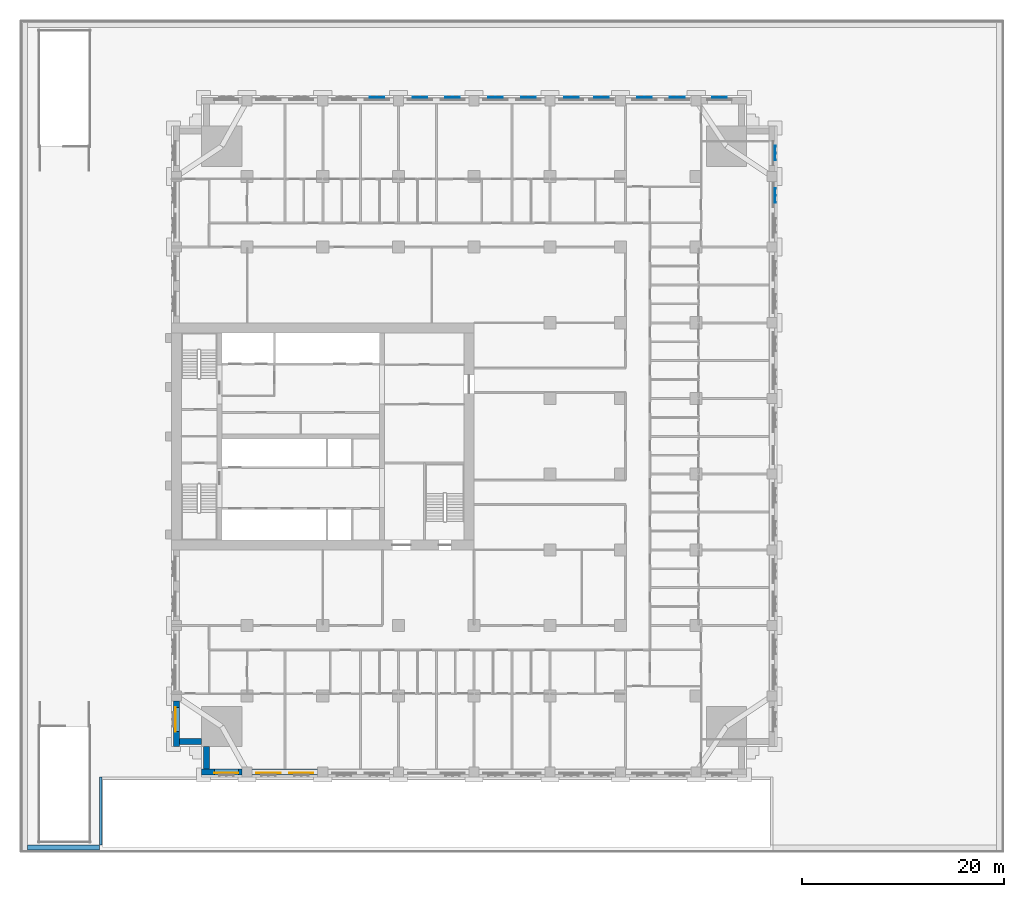
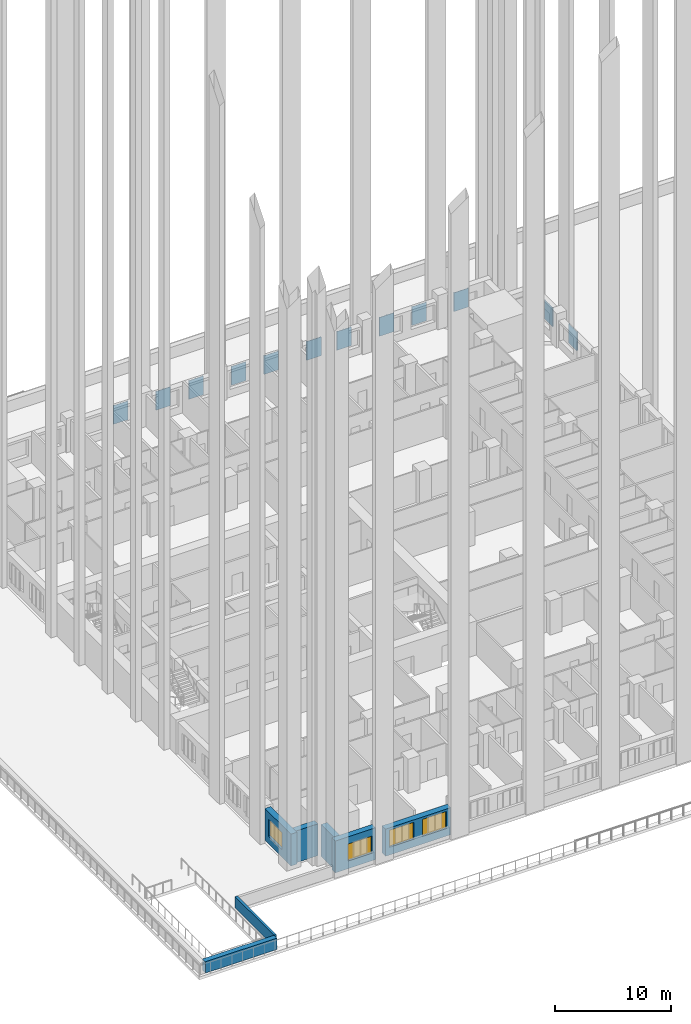
# One storey, part 3 of 27: 12 plates, 7 walls, 4 windows, 4 openings.
"""IFC4 building model written with IfcOpenShell, lengths in metres."""

from ifc_helpers import new_model, si_unit, direction, frame, frame_2d, origin, place, context, subcontext, project, spatial, polyline, rectangle, outline, extrude, material, layer, layer_set, type_object, element, fill, save


model = new_model("IFC4")

# Units and contexts
model_context = context("Model", 3, precision=1e-05, world=origin(), true_north=direction((0.0, 1.0)))
body_context = subcontext(model_context, "Body", "Model", "MODEL_VIEW")
ifc_project = project(units=[si_unit("LENGTHUNIT", "METRE"), si_unit("AREAUNIT", "SQUARE_METRE"), si_unit("VOLUMEUNIT", "CUBIC_METRE"), si_unit("PLANEANGLEUNIT", "RADIAN"), si_unit("MASSUNIT", "GRAM", prefix="KILO")], contexts=[model_context])

# Site, building, storey
site_placement = place(None, origin())
site = spatial("IfcSite", under=ifc_project, at=site_placement, CompositionType="ELEMENT")
building_placement = place(site_placement, origin())
building = spatial("IfcBuilding", under=site, at=building_placement, Name="Tamorin Gate", CompositionType="ELEMENT")
storey_placement = place(building_placement, frame((0.0, 0.0, 34.0)))
storey = spatial("IfcBuildingStorey", under=building, at=storey_placement, Name="L06", CompositionType="ELEMENT", Elevation=34.0)

# Plates
ifc_material_1 = material(Name="Perforated pale aluminium sheet", Category="aluminium")
ifc_layer_1 = layer(ifc_material_1, 0.0400390625)
ifc_layer_set_1 = layer_set([ifc_layer_1], Name="Pale metal solar screen 1440")
plate_type = type_object("IfcPlateType", Name="Pale metal solar screen 1440", PredefinedType="SHEET", material=ifc_layer_set_1)
plate_1_placement = place(storey_placement, frame((0.0, 0.0, 0.7099609375)))
element("IfcPlate", 1, at=plate_1_placement, inside=storey, type_object=plate_type, Name="Perforated solar screen", PredefinedType="SHEET", context=body_context, shape_type="SweptSolid", body=[
    extrude(outline(polyline([(89.840087890625, 94.405029296875), (89.800048828125, 94.405029296875), (89.800048828125, 94.465087890625), (89.800048828125, 95.094970703125), (89.800048828125, 95.155029296875), (89.800048828125, 95.784912109375), (89.800048828125, 95.844970703125), (89.840087890625, 95.844970703125), (89.89990234375, 95.844970703125), (89.89990234375, 95.784912109375), (89.840087890625, 95.784912109375), (89.840087890625, 95.155029296875), (89.89990234375, 95.155029296875), (89.89990234375, 95.094970703125), (89.840087890625, 95.094970703125), (89.840087890625, 94.465087890625), (89.89990234375, 94.465087890625), (89.89990234375, 94.405029296875), (89.840087890625, 94.405029296875)])), origin(), (0.0, 0.0, 1.0), 1.97998046875),
])
plate_2_placement = place(storey_placement, frame((0.0, 0.0, 0.7099609375)))
element("IfcPlate", 2, at=plate_2_placement, inside=storey, type_object=plate_type, Name="Perforated solar screen", PredefinedType="SHEET", context=body_context, shape_type="SweptSolid", body=[
    extrude(outline(polyline([(89.840087890625, 98.580078125), (89.800048828125, 98.580078125), (89.800048828125, 98.639892578125), (89.800048828125, 99.27001953125), (89.800048828125, 99.330078125), (89.800048828125, 99.9599609375), (89.800048828125, 100.02001953125), (89.840087890625, 100.02001953125), (89.89990234375, 100.02001953125), (89.89990234375, 99.9599609375), (89.840087890625, 99.9599609375), (89.840087890625, 99.330078125), (89.89990234375, 99.330078125), (89.89990234375, 99.27001953125), (89.840087890625, 99.27001953125), (89.840087890625, 98.639892578125), (89.89990234375, 98.639892578125), (89.89990234375, 98.580078125), (89.840087890625, 98.580078125)])), origin(), (0.0, 0.0, 1.0), 1.97998046875),
])
plate_3_placement = place(storey_placement, frame((0.0, 0.0, 0.7099609375)))
element("IfcPlate", 3, at=plate_3_placement, inside=storey, type_object=plate_type, Name="Perforated solar screen", PredefinedType="SHEET", context=body_context, shape_type="SweptSolid", body=[
    extrude(outline(polyline([(85.02001953125, 104.840087890625), (85.02001953125, 104.800048828125), (84.9599609375, 104.800048828125), (84.330078125, 104.800048828125), (84.27001953125, 104.800048828125), (83.639892578125, 104.800048828125), (83.580078125, 104.800048828125), (83.580078125, 104.840087890625), (83.580078125, 104.89990234375), (83.639892578125, 104.89990234375), (83.639892578125, 104.840087890625), (84.27001953125, 104.840087890625), (84.27001953125, 104.89990234375), (84.330078125, 104.89990234375), (84.330078125, 104.840087890625), (84.9599609375, 104.840087890625), (84.9599609375, 104.89990234375), (85.02001953125, 104.89990234375), (85.02001953125, 104.840087890625)])), origin(), (0.0, 0.0, 1.0), 1.97998046875),
])
plate_4_placement = place(storey_placement, frame((0.0, 0.0, 0.7099609375)))
element("IfcPlate", 4, at=plate_4_placement, inside=storey, type_object=plate_type, Name="Perforated solar screen", PredefinedType="SHEET", context=body_context, shape_type="SweptSolid", body=[
    extrude(outline(polyline([(77.594970703125, 104.840087890625), (77.594970703125, 104.800048828125), (77.534912109375, 104.800048828125), (76.905029296875, 104.800048828125), (76.844970703125, 104.800048828125), (76.215087890625, 104.800048828125), (76.155029296875, 104.800048828125), (76.155029296875, 104.840087890625), (76.155029296875, 104.89990234375), (76.215087890625, 104.89990234375), (76.215087890625, 104.840087890625), (76.844970703125, 104.840087890625), (76.844970703125, 104.89990234375), (76.905029296875, 104.89990234375), (76.905029296875, 104.840087890625), (77.534912109375, 104.840087890625), (77.534912109375, 104.89990234375), (77.594970703125, 104.89990234375), (77.594970703125, 104.840087890625)])), origin(), (0.0, 0.0, 1.0), 1.97998046875),
])
plate_5_placement = place(storey_placement, frame((0.0, 0.0, 0.7099609375)))
element("IfcPlate", 5, at=plate_5_placement, inside=storey, type_object=plate_type, Name="Perforated solar screen", PredefinedType="SHEET", context=body_context, shape_type="SweptSolid", body=[
    extrude(outline(polyline([(80.844970703125, 104.840087890625), (80.844970703125, 104.800048828125), (80.784912109375, 104.800048828125), (80.155029296875, 104.800048828125), (80.094970703125, 104.800048828125), (79.465087890625, 104.800048828125), (79.405029296875, 104.800048828125), (79.405029296875, 104.800048828125), (79.405029296875, 104.840087890625), (79.405029296875, 104.840087890625), (79.405029296875, 104.89990234375), (79.465087890625, 104.89990234375), (79.465087890625, 104.840087890625), (80.094970703125, 104.840087890625), (80.094970703125, 104.89990234375), (80.155029296875, 104.89990234375), (80.155029296875, 104.840087890625), (80.784912109375, 104.840087890625), (80.784912109375, 104.89990234375), (80.844970703125, 104.89990234375), (80.844970703125, 104.840087890625)])), origin(), (0.0, 0.0, 1.0), 1.97998046875),
])
plate_6_placement = place(storey_placement, frame((0.0, 0.0, 0.7099609375)))
element("IfcPlate", 6, at=plate_6_placement, inside=storey, type_object=plate_type, Name="Perforated solar screen", PredefinedType="SHEET", context=body_context, shape_type="SweptSolid", body=[
    extrude(outline(polyline([(70.344970703125, 104.840087890625), (70.344970703125, 104.800048828125), (70.284912109375, 104.800048828125), (69.655029296875, 104.800048828125), (69.594970703125, 104.800048828125), (68.965087890625, 104.800048828125), (68.905029296875, 104.800048828125), (68.905029296875, 104.840087890625), (68.905029296875, 104.89990234375), (68.965087890625, 104.89990234375), (68.965087890625, 104.840087890625), (69.594970703125, 104.840087890625), (69.594970703125, 104.89990234375), (69.655029296875, 104.89990234375), (69.655029296875, 104.840087890625), (70.284912109375, 104.840087890625), (70.284912109375, 104.89990234375), (70.344970703125, 104.89990234375), (70.344970703125, 104.840087890625)])), origin(), (0.0, 0.0, 1.0), 1.97998046875),
])
plate_7_placement = place(storey_placement, frame((0.0, 0.0, 0.7099609375)))
element("IfcPlate", 7, at=plate_7_placement, inside=storey, type_object=plate_type, Name="Perforated solar screen", PredefinedType="SHEET", context=body_context, shape_type="SweptSolid", body=[
    extrude(outline(polyline([(73.344970703125, 104.840087890625), (73.344970703125, 104.800048828125), (73.284912109375, 104.800048828125), (72.655029296875, 104.800048828125), (72.594970703125, 104.800048828125), (71.965087890625, 104.800048828125), (71.905029296875, 104.800048828125), (71.905029296875, 104.840087890625), (71.905029296875, 104.89990234375), (71.965087890625, 104.89990234375), (71.965087890625, 104.840087890625), (72.594970703125, 104.840087890625), (72.594970703125, 104.89990234375), (72.655029296875, 104.89990234375), (72.655029296875, 104.840087890625), (73.284912109375, 104.840087890625), (73.284912109375, 104.89990234375), (73.344970703125, 104.89990234375), (73.344970703125, 104.840087890625)])), origin(), (0.0, 0.0, 1.0), 1.97998046875),
])
plate_8_placement = place(storey_placement, frame((0.0, 0.0, 0.7099609375)))
element("IfcPlate", 8, at=plate_8_placement, inside=storey, type_object=plate_type, Name="Perforated solar screen", PredefinedType="SHEET", context=body_context, shape_type="SweptSolid", body=[
    extrude(outline(polyline([(62.844970703125, 104.840087890625), (62.844970703125, 104.800048828125), (62.784912109375, 104.800048828125), (62.155029296875, 104.800048828125), (62.094970703125, 104.800048828125), (61.465087890625, 104.800048828125), (61.405029296875, 104.800048828125), (61.405029296875, 104.840087890625), (61.405029296875, 104.89990234375), (61.465087890625, 104.89990234375), (61.465087890625, 104.840087890625), (62.094970703125, 104.840087890625), (62.094970703125, 104.89990234375), (62.155029296875, 104.89990234375), (62.155029296875, 104.840087890625), (62.784912109375, 104.840087890625), (62.784912109375, 104.89990234375), (62.844970703125, 104.89990234375), (62.844970703125, 104.840087890625)])), origin(), (0.0, 0.0, 1.0), 1.97998046875),
])
plate_9_placement = place(storey_placement, frame((0.0, 0.0, 0.7099609375)))
element("IfcPlate", 9, at=plate_9_placement, inside=storey, type_object=plate_type, Name="Perforated solar screen", PredefinedType="SHEET", context=body_context, shape_type="SweptSolid", body=[
    extrude(outline(polyline([(66.094970703125, 104.840087890625), (66.094970703125, 104.800048828125), (66.034912109375, 104.800048828125), (65.405029296875, 104.800048828125), (65.344970703125, 104.800048828125), (64.715087890625, 104.800048828125), (64.655029296875, 104.800048828125), (64.655029296875, 104.840087890625), (64.655029296875, 104.89990234375), (64.715087890625, 104.89990234375), (64.715087890625, 104.840087890625), (65.344970703125, 104.840087890625), (65.344970703125, 104.89990234375), (65.405029296875, 104.89990234375), (65.405029296875, 104.840087890625), (66.034912109375, 104.840087890625), (66.034912109375, 104.89990234375), (66.094970703125, 104.89990234375), (66.094970703125, 104.840087890625)])), origin(), (0.0, 0.0, 1.0), 1.97998046875),
])
plate_10_placement = place(storey_placement, frame((0.0, 0.0, 0.7099609375)))
element("IfcPlate", 10, at=plate_10_placement, inside=storey, type_object=plate_type, Name="Perforated solar screen", PredefinedType="SHEET", context=body_context, shape_type="SweptSolid", body=[
    extrude(outline(polyline([(55.344970703125, 104.840087890625), (55.344970703125, 104.800048828125), (55.284912109375, 104.800048828125), (54.655029296875, 104.800048828125), (54.594970703125, 104.800048828125), (53.965087890625, 104.800048828125), (53.905029296875, 104.800048828125), (53.905029296875, 104.840087890625), (53.905029296875, 104.89990234375), (53.965087890625, 104.89990234375), (53.965087890625, 104.840087890625), (54.594970703125, 104.840087890625), (54.594970703125, 104.89990234375), (54.655029296875, 104.89990234375), (54.655029296875, 104.840087890625), (55.284912109375, 104.840087890625), (55.284912109375, 104.89990234375), (55.344970703125, 104.89990234375), (55.344970703125, 104.840087890625)])), origin(), (0.0, 0.0, 1.0), 1.97998046875),
])
plate_11_placement = place(storey_placement, frame((0.0, 0.0, 0.7099609375)))
element("IfcPlate", 11, at=plate_11_placement, inside=storey, type_object=plate_type, Name="Perforated solar screen", PredefinedType="SHEET", context=body_context, shape_type="SweptSolid", body=[
    extrude(outline(polyline([(58.594970703125, 104.840087890625), (58.594970703125, 104.800048828125), (58.534912109375, 104.800048828125), (57.905029296875, 104.800048828125), (57.844970703125, 104.800048828125), (57.215087890625, 104.800048828125), (57.155029296875, 104.800048828125), (57.155029296875, 104.840087890625), (57.155029296875, 104.89990234375), (57.215087890625, 104.89990234375), (57.215087890625, 104.840087890625), (57.844970703125, 104.840087890625), (57.844970703125, 104.89990234375), (57.905029296875, 104.89990234375), (57.905029296875, 104.840087890625), (58.534912109375, 104.840087890625), (58.534912109375, 104.89990234375), (58.594970703125, 104.89990234375), (58.594970703125, 104.840087890625)])), origin(), (0.0, 0.0, 1.0), 1.97998046875),
])
plate_12_placement = place(storey_placement, frame((0.0, 0.0, 0.7099609375)))
element("IfcPlate", 12, at=plate_12_placement, inside=storey, type_object=plate_type, Name="Perforated solar screen", PredefinedType="SHEET", context=body_context, shape_type="SweptSolid", body=[
    extrude(outline(polyline([(51.094970703125, 104.840087890625), (51.094970703125, 104.800048828125), (51.034912109375, 104.800048828125), (50.405029296875, 104.800048828125), (50.344970703125, 104.800048828125), (49.715087890625, 104.800048828125), (49.655029296875, 104.800048828125), (49.655029296875, 104.840087890625), (49.655029296875, 104.89990234375), (49.715087890625, 104.89990234375), (49.715087890625, 104.840087890625), (50.344970703125, 104.840087890625), (50.344970703125, 104.89990234375), (50.405029296875, 104.89990234375), (50.405029296875, 104.840087890625), (51.034912109375, 104.840087890625), (51.034912109375, 104.89990234375), (51.094970703125, 104.89990234375), (51.094970703125, 104.840087890625)])), origin(), (0.0, 0.0, 1.0), 1.97998046875),
])

# Wall, opening, window
ifc_material_2 = material(Name="Precast concrete C40/50", Category="concrete")
ifc_layer_2 = layer(ifc_material_2, 0.60009765625)
ifc_layer_set_2 = layer_set([ifc_layer_2], Name="Precast concrete C40/50")
wall_type_1 = type_object("IfcWallType", Name="Board-marked concrete facade panel 600", PredefinedType="SOLIDWALL", material=ifc_layer_set_2)
wall_1_placement = place(storey_placement, frame((33.0, 38.0, 0.0), z_axis=(0.0, 0.0, 1.0), x_axis=(1.0, 0.0, 0.0)))
wall_1 = element("IfcWall", 13, at=wall_1_placement, inside=storey, type_object=wall_type_1, Name="Facade panel", PredefinedType="SOLIDWALL", context=body_context, shape_type="SweptSolid", body=[
    extrude(rectangle(XDim=4.0, YDim=0.60009765625, at=frame_2d((2.0, 0.0))), origin(), (0.0, 0.0, 1.0), 3.35009765625),
])
opening_1_placement = place(wall_1_placement, frame((1.25, 0.0, 0.800048828125)))
opening_1 = element("IfcOpeningElement", 14, at=opening_1_placement, cuts=wall_1, Name="Opening WN1", PredefinedType="OPENING", context=body_context, shape_type="SweptSolid", body=[
    extrude(rectangle(XDim=2.39990234375, YDim=1.800048828125, at=frame_2d((1.199951171875, 0.89990234375))), frame((0.0, 0.31005859375, 0.0), z_axis=(0.0, -1.0, 0.0), x_axis=(1.0, 0.0, 0.0)), (0.0, 0.0, 1.0), 0.6201171875),
])
ifc_material_3 = material(Name="Clear glass in aluminium frame", Category="aluminium")
window_type = type_object("IfcWindowType", Name="Deep-set window 2400x1800", PartitioningType="SINGLE_PANEL", PredefinedType="WINDOW", material=ifc_material_3)
window_1_placement = place(opening_1_placement, origin())
window_1 = element("IfcWindow", 15, at=window_1_placement, inside=storey, type_object=window_type, Name="Deep-set window", OverallHeight=1.800048828125, OverallWidth=2.39990234375, PartitioningType="SINGLE_PANEL", PredefinedType="WINDOW", context=body_context, shape_type="SweptSolid", body=[
    extrude(rectangle(XDim=2.39990234375, YDim=1.800048828125, at=frame_2d((1.199951171875, 0.89990234375))), frame((0.0, -0.070068359375, 0.0), z_axis=(0.0, -1.0, 0.0), x_axis=(1.0, 0.0, 0.0)), (0.0, 0.0, 1.0), 0.06005859375),
])
fill(opening_1, window_1)

# Wall, openings, windows
wall_2_placement = place(storey_placement, frame((38.0, 38.0, 0.0), z_axis=(0.0, 0.0, 1.0), x_axis=(1.0, 0.0, 0.0)))
wall_2 = element("IfcWall", 16, at=wall_2_placement, inside=storey, type_object=wall_type_1, Name="Facade panel", PredefinedType="SOLIDWALL", context=body_context, shape_type="SweptSolid", body=[
    extrude(rectangle(XDim=6.5, YDim=0.60009765625, at=frame_2d((3.25, 0.0))), origin(), (0.0, 0.0, 1.0), 2.85009765625),
])
opening_2_placement = place(wall_2_placement, frame((0.425048828125, 0.0, 0.800048828125)))
opening_2 = element("IfcOpeningElement", 17, at=opening_2_placement, cuts=wall_2, Name="Opening WN1", PredefinedType="OPENING", context=body_context, shape_type="SweptSolid", body=[
    extrude(rectangle(XDim=2.39990234375, YDim=1.800048828125, at=frame_2d((1.199951171875, 0.89990234375))), frame((0.0, 0.31005859375, 0.0), z_axis=(0.0, -1.0, 0.0), x_axis=(1.0, 0.0, 0.0)), (0.0, 0.0, 1.0), 0.6201171875),
])
opening_3_placement = place(wall_2_placement, frame((3.675048828125, 0.0, 0.800048828125)))
opening_3 = element("IfcOpeningElement", 18, at=opening_3_placement, cuts=wall_2, Name="Opening WN1", PredefinedType="OPENING", context=body_context, shape_type="SweptSolid", body=[
    extrude(rectangle(XDim=2.39990234375, YDim=1.800048828125, at=frame_2d((1.199951171875, 0.89990234375))), frame((0.0, 0.31005859375, 0.0), z_axis=(0.0, -1.0, 0.0), x_axis=(1.0, 0.0, 0.0)), (0.0, 0.0, 1.0), 0.6201171875),
])
window_2_placement = place(opening_2_placement, origin())
window_2 = element("IfcWindow", 19, at=window_2_placement, inside=storey, type_object=window_type, Name="Deep-set window", OverallHeight=1.800048828125, OverallWidth=2.39990234375, PartitioningType="SINGLE_PANEL", PredefinedType="WINDOW", context=body_context, shape_type="SweptSolid", body=[
    extrude(rectangle(XDim=2.39990234375, YDim=1.800048828125, at=frame_2d((1.199951171875, 0.89990234375))), frame((0.0, -0.070068359375, 0.0), z_axis=(0.0, -1.0, 0.0), x_axis=(1.0, 0.0, 0.0)), (0.0, 0.0, 1.0), 0.06005859375),
])
fill(opening_2, window_2)
window_3_placement = place(opening_3_placement, origin())
window_3 = element("IfcWindow", 20, at=window_3_placement, inside=storey, type_object=window_type, Name="Deep-set window", OverallHeight=1.800048828125, OverallWidth=2.39990234375, PartitioningType="SINGLE_PANEL", PredefinedType="WINDOW", context=body_context, shape_type="SweptSolid", body=[
    extrude(rectangle(XDim=2.39990234375, YDim=1.800048828125, at=frame_2d((1.199951171875, 0.89990234375))), frame((0.0, -0.070068359375, 0.0), z_axis=(0.0, -1.0, 0.0), x_axis=(1.0, 0.0, 0.0)), (0.0, 0.0, 1.0), 0.06005859375),
])
fill(opening_3, window_3)

# Wall, opening, window
wall_3_placement = place(storey_placement, frame((30.5, 45.0, 0.0), z_axis=(0.0, 0.0, 1.0), x_axis=(0.0, -1.0, 0.0)))
wall_3 = element("IfcWall", 21, at=wall_3_placement, inside=storey, type_object=wall_type_1, Name="Facade panel", PredefinedType="SOLIDWALL", context=body_context, shape_type="SweptSolid", body=[
    extrude(rectangle(XDim=4.5, YDim=0.60009765625, at=frame_2d((2.25, 0.0))), origin(), (0.0, 0.0, 1.0), 3.35009765625),
])
opening_4_placement = place(wall_3_placement, frame((0.60009765625, 0.0, 0.800048828125)))
opening_4 = element("IfcOpeningElement", 22, at=opening_4_placement, cuts=wall_3, Name="Opening WN1", PredefinedType="OPENING", context=body_context, shape_type="SweptSolid", body=[
    extrude(rectangle(XDim=2.39990234375, YDim=1.800048828125, at=frame_2d((1.199951171875, 0.89990234375))), frame((0.0, 0.31005859375, 0.0), z_axis=(0.0, -1.0, 0.0), x_axis=(1.0, 0.0, 0.0)), (0.0, 0.0, 1.0), 0.6201171875),
])
window_4_placement = place(opening_4_placement, origin())
window_4 = element("IfcWindow", 23, at=window_4_placement, inside=storey, type_object=window_type, Name="Deep-set window", OverallHeight=1.800048828125, OverallWidth=2.39990234375, PartitioningType="SINGLE_PANEL", PredefinedType="WINDOW", context=body_context, shape_type="SweptSolid", body=[
    extrude(rectangle(XDim=2.39990234375, YDim=1.800048828125, at=frame_2d((1.199951171875, 0.89990234375))), frame((0.0, -0.070068359375, 0.0), z_axis=(0.0, -1.0, 0.0), x_axis=(1.0, 0.0, 0.0)), (0.0, 0.0, 1.0), 0.06005859375),
])
fill(opening_4, window_4)

# Walls
for number, where, z_axis, x_axis, name in (
    (24, (30.800048828125, 41.0, 0.0), (0.0, 0.0, 1.0), (1.0, 0.0, 0.0), "Facade panel"),
    (25, (33.5, 40.5, 0.0), (0.0, 0.0, 1.0), (0.0, -1.0, 0.0), "Facade panel"),
):
    element("IfcWall", number, at=place(storey_placement, frame(where, z_axis=z_axis, x_axis=x_axis)), inside=storey, type_object=wall_type_1, Name=name, PredefinedType="SOLIDWALL", context=body_context, shape_type="SweptSolid", body=[
        extrude(rectangle(XDim=2.199951171875, YDim=0.60009765625, at=frame_2d((1.10009765625, 0.0))), origin(), (0.0, 0.0, 1.0), 3.35009765625),
    ])
ifc_layer_3 = layer(ifc_material_2, 0.5)
ifc_layer_set_3 = layer_set([ifc_layer_3], Name="Precast concrete C40/50")
wall_type_2 = type_object("IfcWallType", Name="Precast roof parapet 500", PredefinedType="PARAPET", material=ifc_layer_set_3)
wall_4_placement = place(storey_placement, frame((15.75, 30.5, 0.0), z_axis=(0.0, 0.0, 1.0), x_axis=(1.0, 0.0, 0.0)))
element("IfcWall", 26, at=wall_4_placement, inside=storey, type_object=wall_type_2, Name="Roof parapet", PredefinedType="PARAPET", context=body_context, shape_type="SweptSolid", body=[
    extrude(rectangle(XDim=7.125, YDim=0.5, at=frame_2d((3.5625, 0.0))), origin(), (0.0, 0.0, 1.0), 1.199951171875),
])
ifc_layer_4 = layer(ifc_material_2, 0.25)
ifc_layer_set_4 = layer_set([ifc_layer_4], Name="Precast concrete C40/50")
wall_type_3 = type_object("IfcWallType", Name="Precast terrace parapet 250", PredefinedType="PARAPET", material=ifc_layer_set_4)
wall_5_placement = place(storey_placement, frame((23.0, 30.75, 0.0), z_axis=(0.0, 0.0, 1.0), x_axis=(0.0, 1.0, 0.0)))
element("IfcWall", 27, at=wall_5_placement, inside=storey, type_object=wall_type_3, Name="Roof parapet", PredefinedType="PARAPET", context=body_context, shape_type="SweptSolid", body=[
    extrude(rectangle(XDim=6.72509765625, YDim=0.25, at=frame_2d((3.362548828125, 0.0))), origin(), (0.0, 0.0, 1.0), 1.199951171875),
])

save(model, "model.ifc")
